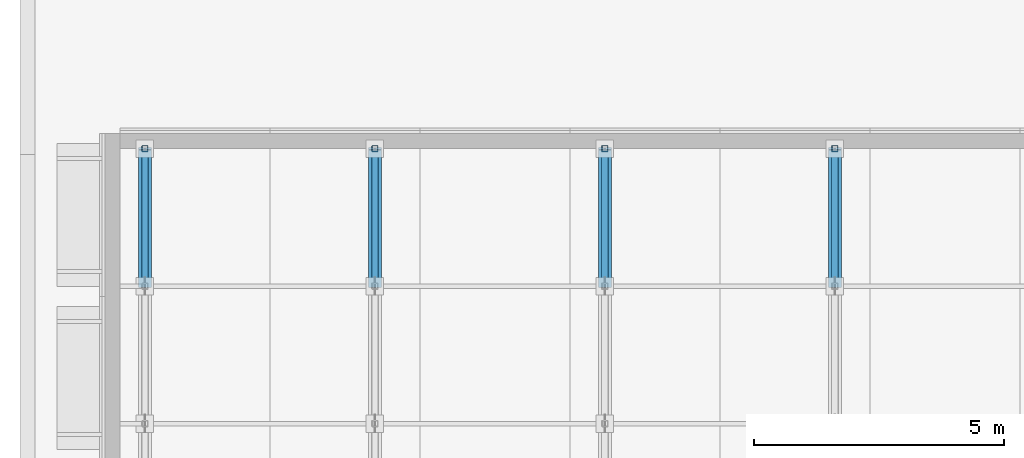
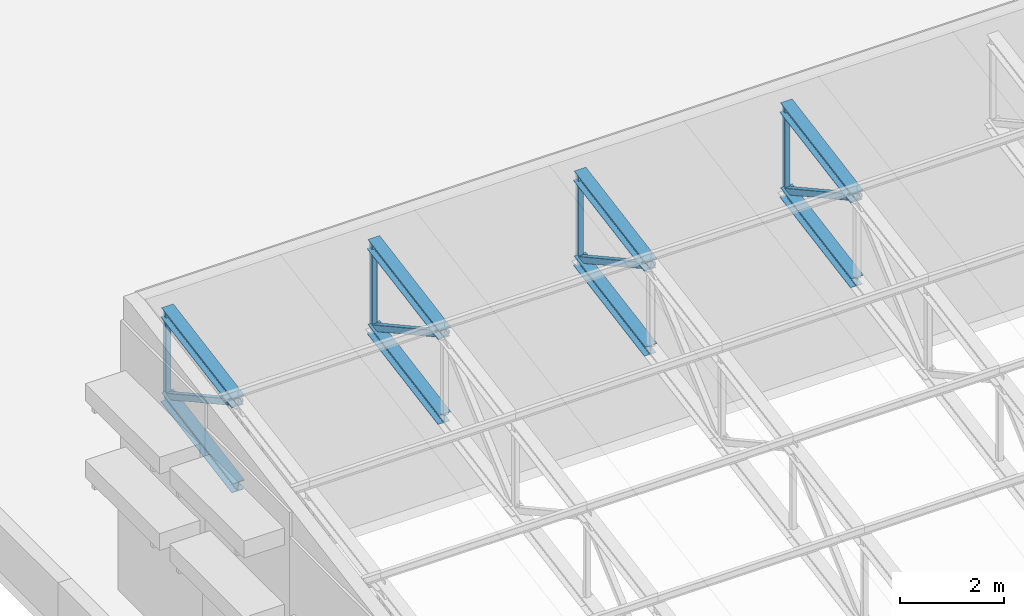
# One storey, part 7 of 22: 16 members.
"""IFC4 building model written with IfcOpenShell, lengths in metres."""

from ifc_helpers import new_model, si_unit, direction, frame, origin, origin_2d, place, context, subcontext, project, spatial, hollow_rectangle, i_section, extrude, material, material_profile, profile_set, type_object, element, save


model = new_model("IFC4")

# Units and contexts
model_context = context("Model", 3, precision=1e-05, world=origin(), true_north=direction((0.0, 1.0)))
body_context = subcontext(model_context, "Body", "Model", "MODEL_VIEW")
ifc_project = project(units=[si_unit("LENGTHUNIT", "METRE"), si_unit("AREAUNIT", "SQUARE_METRE"), si_unit("VOLUMEUNIT", "CUBIC_METRE"), si_unit("PLANEANGLEUNIT", "RADIAN"), si_unit("MASSUNIT", "GRAM", prefix="KILO")], contexts=[model_context])

# Site, building, storey
site_placement = place(None, origin())
site = spatial("IfcSite", under=ifc_project, at=site_placement, CompositionType="ELEMENT")
building_placement = place(site_placement, origin())
building = spatial("IfcBuilding", under=site, at=building_placement, Name="Lunette Opera House", CompositionType="ELEMENT")
storey_placement = place(building_placement, frame((0.0, 0.0, 28.0)))
storey = spatial("IfcBuildingStorey", under=building, at=storey_placement, Name="L05", CompositionType="ELEMENT", Elevation=28.0)

# Members
ifc_material_1 = material(Name="Steel S355", Category="steel")
ifc_material_profile_1 = material_profile(ifc_material_1, i_section(OverallWidth=0.260009765625, OverallDepth=0.25, WebThickness=0.007568359375, FlangeThickness=0.012451171875, FilletRadius=0.02392578125, at=origin_2d()), Name="HEA 260")
ifc_profile_set_1 = profile_set([ifc_material_profile_1], Name="Steel S355")
member_type_1 = type_object("IfcMemberType", Name="CHORD HEA 260", PredefinedType="CHORD", material=ifc_profile_set_1)
for number, where, z_axis, x_axis, name in (
    (1, (10.5, 85.25, 6.089111328125), (0.0, 0.984809952442, 0.173635703618), (-1.0, 0.0, 0.0), "mem-RW-L05-LF-1-TC8"),
    (2, (10.5, 85.25, 4.089111328125), (0.0, 0.984809952442, 0.173635703618), (-1.0, 0.0, 0.0), "mem-RW-L05-LF-1-BC8"),
    (3, (15.10009765625, 85.25, 6.089111328125), (0.0, 0.984809952442, 0.173635703618), (-1.0, 0.0, 0.0), "mem-RW-L05-LF-2-TC8"),
    (4, (15.10009765625, 85.25, 4.089111328125), (0.0, 0.984809952442, 0.173635703618), (-1.0, 0.0, 0.0), "mem-RW-L05-LF-2-BC8"),
    (5, (19.699951171875, 85.25, 6.089111328125), (0.0, 0.984809952442, 0.173635703618), (-1.0, 0.0, 0.0), "mem-RW-L05-LF-3-TC8"),
    (6, (19.699951171875, 85.25, 4.089111328125), (0.0, 0.984809952442, 0.173635703618), (-1.0, 0.0, 0.0), "mem-RW-L05-LF-3-BC8"),
    (7, (24.300048828125, 85.25, 6.089111328125), (0.0, 0.984809952442, 0.173635703618), (-1.0, 0.0, 0.0), "mem-RW-L05-LF-4-TC8"),
    (8, (24.300048828125, 85.25, 4.089111328125), (0.0, 0.984809952442, 0.173635703618), (-1.0, 0.0, 0.0), "mem-RW-L05-LF-4-BC8"),
):
    element("IfcMember", number, at=place(storey_placement, frame(where, z_axis=z_axis, x_axis=x_axis)), inside=storey, type_object=member_type_1, Name=name, PredefinedType="CHORD", context=body_context, shape_type="SweptSolid", body=[
        extrude(i_section(OverallWidth=0.260009765625, OverallDepth=0.25, WebThickness=0.007568359375, FlangeThickness=0.012451171875, FilletRadius=0.02392578125, at=origin_2d()), origin(), (0.0, 0.0, 1.0), 2.79248046875),
    ])
ifc_material_2 = material(Name="Steel S355", Category="steel")
ifc_material_profile_2 = material_profile(ifc_material_2, hollow_rectangle(XDim=0.139892578125, YDim=0.139892578125, WallThickness=0.006103515625, InnerFilletRadius=0.006103515625, OuterFilletRadius=0.011962890625, at=origin_2d()), Name="RHS 140X140X6")
ifc_profile_set_2 = profile_set([ifc_material_profile_2], Name="Steel S355")
member_type_2 = type_object("IfcMemberType", Name="DIAGONAL RHS 140X140X6", PredefinedType="BRACE", material=ifc_profile_set_2)
for number, where, z_axis, x_axis, name in (
    (9, (10.5, 85.25, 6.089111328125), (0.0, 0.87586106121, -0.482563365223), (-1.0, 0.0, 0.0), "mem-RW-L05-LF-1-TD8"),
    (10, (15.10009765625, 85.25, 6.089111328125), (0.0, 0.87586106121, -0.482563365223), (-1.0, 0.0, 0.0), "mem-RW-L05-LF-2-TD8"),
    (11, (19.699951171875, 85.25, 6.089111328125), (0.0, 0.87586106121, -0.482563365223), (-1.0, 0.0, 0.0), "mem-RW-L05-LF-3-TD8"),
    (12, (24.300048828125, 85.25, 6.089111328125), (0.0, 0.87586106121, -0.482563365223), (-1.0, 0.0, 0.0), "mem-RW-L05-LF-4-TD8"),
):
    element("IfcMember", number, at=place(storey_placement, frame(where, z_axis=z_axis, x_axis=x_axis)), inside=storey, type_object=member_type_2, Name=name, PredefinedType="BRACE", context=body_context, shape_type="SweptSolid", body=[
        extrude(hollow_rectangle(XDim=0.139892578125, YDim=0.139892578125, WallThickness=0.006103515625, InnerFilletRadius=0.006103515625, OuterFilletRadius=0.011962890625, at=origin_2d()), origin(), (0.0, 0.0, 1.0), 3.1396484375),
    ])
ifc_material_3 = material(Name="Steel S355", Category="steel")
ifc_material_profile_3 = material_profile(ifc_material_3, hollow_rectangle(XDim=0.1201171875, YDim=0.1201171875, WallThickness=0.0048828125, InnerFilletRadius=0.0048828125, OuterFilletRadius=0.010009765625, at=origin_2d()), Name="RHS 120X120X5")
ifc_profile_set_3 = profile_set([ifc_material_profile_3], Name="Steel S355")
member_type_3 = type_object("IfcMemberType", Name="VERTICAL RHS 120X120X5", PredefinedType="POST", material=ifc_profile_set_3)
for number, where, z_axis, x_axis, name in (
    (13, (10.5, 88.0, 4.573974609375), (0.0, 0.0, 1.0), (1.0, 0.0, 0.0), "mem-RW-L05-LF-1-TV9"),
    (14, (15.10009765625, 88.0, 4.573974609375), (0.0, 0.0, 1.0), (1.0, 0.0, 0.0), "mem-RW-L05-LF-2-TV9"),
    (15, (19.699951171875, 88.0, 4.573974609375), (0.0, 0.0, 1.0), (1.0, 0.0, 0.0), "mem-RW-L05-LF-3-TV9"),
    (16, (24.300048828125, 88.0, 4.573974609375), (0.0, 0.0, 1.0), (1.0, 0.0, 0.0), "mem-RW-L05-LF-4-TV9"),
):
    element("IfcMember", number, at=place(storey_placement, frame(where, z_axis=z_axis, x_axis=x_axis)), inside=storey, type_object=member_type_3, Name=name, PredefinedType="POST", context=body_context, shape_type="SweptSolid", body=[
        extrude(hollow_rectangle(XDim=0.1201171875, YDim=0.1201171875, WallThickness=0.0048828125, InnerFilletRadius=0.0048828125, OuterFilletRadius=0.010009765625, at=origin_2d()), origin(), (0.0, 0.0, 1.0), 2.0),
    ])

save(model, "model.ifc")
